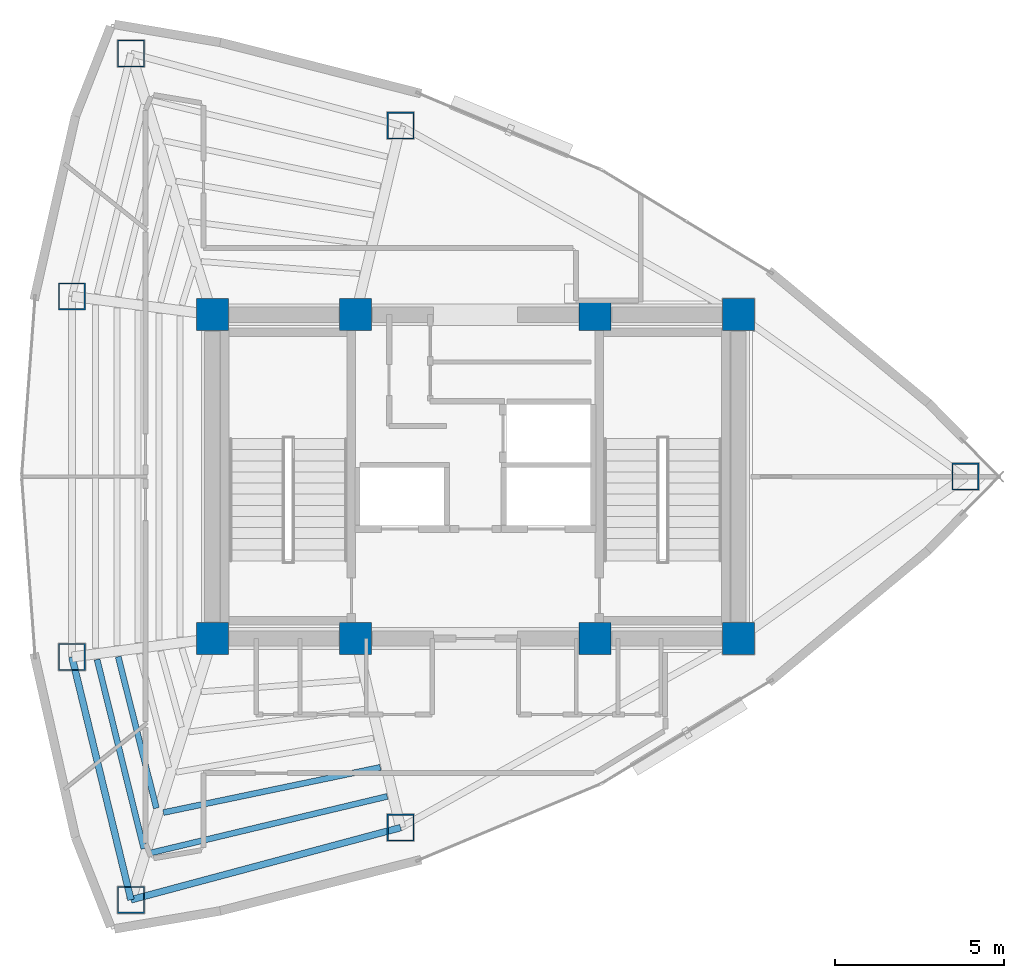
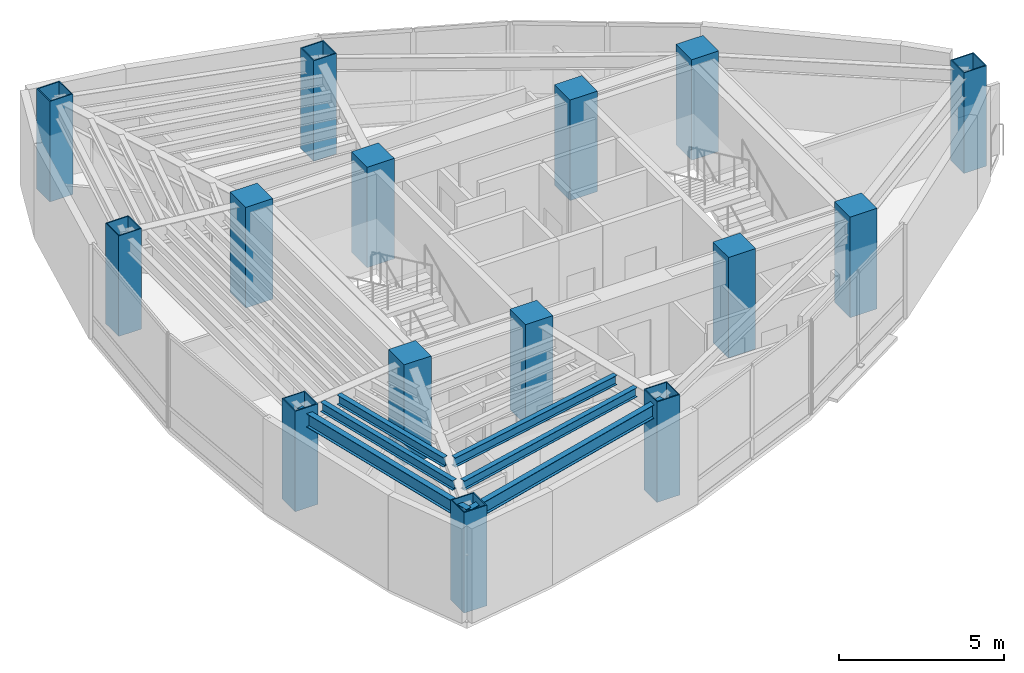
# One storey, part 1 of 15: 15 columns, 6 beams.
"""IFC4 building model written with IfcOpenShell, lengths in metres."""

from ifc_helpers import new_model, si_unit, direction, frame, origin, origin_2d, place, context, subcontext, project, spatial, rectangle, hollow_rectangle, i_section, extrude, material, material_profile, profile_set, type_object, element, save


model = new_model("IFC4")

# Units and contexts
model_context = context("Model", 3, precision=1e-05, world=origin(), true_north=direction((0.0, 1.0)))
body_context = subcontext(model_context, "Body", "Model", "MODEL_VIEW")
ifc_project = project(units=[si_unit("LENGTHUNIT", "METRE"), si_unit("AREAUNIT", "SQUARE_METRE"), si_unit("VOLUMEUNIT", "CUBIC_METRE"), si_unit("PLANEANGLEUNIT", "RADIAN"), si_unit("MASSUNIT", "GRAM", prefix="KILO")], contexts=[model_context])

# Site, building, storey
site_placement = place(None, origin())
site = spatial("IfcSite", under=ifc_project, at=site_placement, CompositionType="ELEMENT")
building_placement = place(site_placement, origin())
building = spatial("IfcBuilding", under=site, at=building_placement, Name="Menara Vayukalpa", CompositionType="ELEMENT")
storey_placement = place(building_placement, frame((0.0, 0.0, 258.300048828125)))
storey = spatial("IfcBuildingStorey", under=building, at=storey_placement, Name="L65", CompositionType="ELEMENT", Elevation=258.300048828125)

# Columns
ifc_material_1 = material(Name="Concrete C60/75", Category="concrete")
ifc_material_profile_1 = material_profile(ifc_material_1, rectangle(XDim=0.949951171875, YDim=0.949951171875, at=origin_2d()), Name="RC 950x950")
ifc_profile_set_1 = profile_set([ifc_material_profile_1], Name="Concrete C60/75")
column_type_1 = type_object("IfcColumnType", Name="COL-CC2", PredefinedType="COLUMN", material=ifc_profile_set_1)
for number, where, z_axis, x_axis, name in (
    (1, (17.800048828125, 17.199951171875, 0.0), (0.0, 0.0, 1.0), (1.0, 0.0, 0.0), "L65 Core Pilaster Column CC1"),
    (2, (22.050048828125, 17.199951171875, 0.0), (0.0, 0.0, 1.0), (1.0, 0.0, 0.0), "L65 Core Pilaster Column CC2"),
    (3, (29.14990234375, 17.199951171875, 0.0), (0.0, 0.0, 1.0), (1.0, 0.0, 0.0), "L65 Core Pilaster Column CC3"),
    (4, (33.39990234375, 17.199951171875, 0.0), (0.0, 0.0, 1.0), (1.0, 0.0, 0.0), "L65 Core Pilaster Column CC4"),
    (5, (17.800048828125, 26.800048828125, 0.0), (0.0, 0.0, 1.0), (1.0, 0.0, 0.0), "L65 Core Pilaster Column CC5"),
    (6, (22.050048828125, 26.800048828125, 0.0), (0.0, 0.0, 1.0), (1.0, 0.0, 0.0), "L65 Core Pilaster Column CC6"),
    (7, (29.14990234375, 26.800048828125, 0.0), (0.0, 0.0, 1.0), (1.0, 0.0, 0.0), "L65 Core Pilaster Column CC7"),
    (8, (33.39990234375, 26.800048828125, 0.0), (0.0, 0.0, 1.0), (1.0, 0.0, 0.0), "L65 Core Pilaster Column CC8"),
):
    element("IfcColumn", number, at=place(storey_placement, frame(where, z_axis=z_axis, x_axis=x_axis)), inside=storey, type_object=column_type_1, Name=name, PredefinedType="COLUMN", context=body_context, shape_type="SweptSolid", body=[
        extrude(rectangle(XDim=0.949951171875, YDim=0.949951171875, at=origin_2d()), origin(), (0.0, 0.0, 1.0), 3.719970703125),
    ])
ifc_material_2 = material(Name="Steel S355", Category="steel")
ifc_material_profile_2 = material_profile(ifc_material_2, hollow_rectangle(XDim=0.800048828125, YDim=0.800048828125, WallThickness=0.034912109375, at=origin_2d()), Name="BOX 800x800x35")
ifc_profile_set_2 = profile_set([ifc_material_profile_2], Name="Steel S355")
column_type_2 = type_object("IfcColumnType", Name="COL-MC5", PredefinedType="COLUMN", material=ifc_profile_set_2)
for number, where, z_axis, x_axis, name in (
    (9, (40.121826171875, 22.0, 0.0), (0.0, 0.0, 1.0), (1.0, 0.0, 0.0), "L65 Perimeter Mega Column P01"),
    (10, (23.3818359375, 32.40478515625, 0.0), (0.0, 0.0, 1.0), (1.0, 0.0, 0.0), "L65 Perimeter Mega Column P03"),
    (11, (15.38916015625, 34.544677734375, 0.0), (0.0, 0.0, 1.0), (1.0, 0.0, 0.0), "L65 Perimeter Mega Column P04"),
    (12, (13.638916015625, 27.3466796875, 0.0), (0.0, 0.0, 1.0), (1.0, 0.0, 0.0), "L65 Perimeter Mega Column P05"),
    (13, (13.638916015625, 16.6533203125, 0.0), (0.0, 0.0, 1.0), (1.0, 0.0, 0.0), "L65 Perimeter Mega Column P06"),
    (14, (15.38916015625, 9.455322265625, 0.0), (0.0, 0.0, 1.0), (1.0, 0.0, 0.0), "L65 Perimeter Mega Column P07"),
    (15, (23.3818359375, 11.59521484375, 0.0), (0.0, 0.0, 1.0), (1.0, 0.0, 0.0), "L65 Perimeter Mega Column P08"),
):
    element("IfcColumn", number, at=place(storey_placement, frame(where, z_axis=z_axis, x_axis=x_axis)), inside=storey, type_object=column_type_2, Name=name, PredefinedType="COLUMN", context=body_context, shape_type="SweptSolid", body=[
        extrude(hollow_rectangle(XDim=0.800048828125, YDim=0.800048828125, WallThickness=0.034912109375, at=origin_2d()), origin(), (0.0, 0.0, 1.0), 3.719970703125),
    ])

# Beams
ifc_material_3 = material(Name="Steel S355", Category="steel")
ifc_material_profile_3 = material_profile(ifc_material_3, i_section(OverallWidth=0.175048828125, OverallDepth=0.35009765625, WebThickness=0.007080078125, FlangeThickness=0.010986328125, at=origin_2d()), Name="WF 350x175x7x11")
ifc_profile_set_3 = profile_set([ifc_material_profile_3], Name="Steel S355")
beam_type_1 = type_object("IfcBeamType", Name="BM-SJ3", PredefinedType="JOIST", material=ifc_profile_set_3)
beam_1_placement = place(storey_placement, frame((15.010986328125, 16.6630859375, 3.324951171875), z_axis=(0.244247063973, -0.969713035769, 0.0), x_axis=(0.969713035769, 0.244247063973, 0.0)))
element("IfcBeam", 16, at=beam_1_placement, inside=storey, type_object=beam_type_1, Name="L65 Secondary Floor Joist SJ06-4", PredefinedType="JOIST", context=body_context, shape_type="SweptSolid", body=[
    extrude(i_section(OverallWidth=0.175048828125, OverallDepth=0.35009765625, WebThickness=0.007080078125, FlangeThickness=0.010986328125, at=origin_2d()), origin(), (0.0, 0.0, 1.0), 4.630859375),
])
beam_2_placement = place(storey_placement, frame((14.384033203125, 16.580810546875, 3.324951171875), z_axis=(0.239671161383, -0.970854126222, 0.0), x_axis=(0.970854126222, 0.239671161383, 0.0)))
element("IfcBeam", 17, at=beam_2_placement, inside=storey, type_object=beam_type_1, Name="L65 Secondary Floor Joist SJ06-5", PredefinedType="JOIST", context=body_context, shape_type="SweptSolid", body=[
    extrude(i_section(OverallWidth=0.175048828125, OverallDepth=0.35009765625, WebThickness=0.007080078125, FlangeThickness=0.010986328125, at=origin_2d()), origin(), (0.0, 0.0, 1.0), 5.77783203125),
])
beam_3_placement = place(storey_placement, frame((16.35009765625, 12.0419921875, 3.324951171875), z_axis=(0.978941451827, 0.204141210671, 0.0), x_axis=(-0.204141210671, 0.978941451827, 0.0)))
element("IfcBeam", 18, at=beam_3_placement, inside=storey, type_object=beam_type_1, Name="L65 Secondary Floor Joist SJ07-4", PredefinedType="JOIST", context=body_context, shape_type="SweptSolid", body=[
    extrude(i_section(OverallWidth=0.175048828125, OverallDepth=0.35009765625, WebThickness=0.007080078125, FlangeThickness=0.010986328125, at=origin_2d()), origin(), (0.0, 0.0, 1.0), 6.570556640625),
])
beam_4_placement = place(storey_placement, frame((15.97509765625, 10.845947265625, 3.324951171875), z_axis=(0.972642465748, 0.232307197097, 0.0), x_axis=(-0.232307197097, 0.972642465748, 0.0)))
element("IfcBeam", 19, at=beam_4_placement, inside=storey, type_object=beam_type_1, Name="L65 Secondary Floor Joist SJ07-5", PredefinedType="JOIST", context=body_context, shape_type="SweptSolid", body=[
    extrude(i_section(OverallWidth=0.175048828125, OverallDepth=0.35009765625, WebThickness=0.007080078125, FlangeThickness=0.010986328125, at=origin_2d()), origin(), (0.0, 0.0, 1.0), 7.20947265625),
])
ifc_material_4 = material(Name="Steel S355", Category="steel")
ifc_material_profile_4 = material_profile(ifc_material_4, i_section(OverallWidth=0.199951171875, OverallDepth=0.5, WebThickness=0.010009765625, FlangeThickness=0.01611328125, at=origin_2d()), Name="WF 500x200x10x16")
ifc_profile_set_4 = profile_set([ifc_material_profile_4], Name="Steel S355")
beam_type_2 = type_object("IfcBeamType", Name="BM-SP3", PredefinedType="SPANDREL", material=ifc_profile_set_4)
beam_5_placement = place(storey_placement, frame((13.638916015625, 16.6533203125, 3.25), z_axis=(0.236272525754, -0.97168682896, 0.0), x_axis=(0.97168682896, 0.236272525754, 0.0)))
element("IfcBeam", 20, at=beam_5_placement, inside=storey, type_object=beam_type_2, Name="L65 Perimeter Spandrel Beam SP06", PredefinedType="SPANDREL", context=body_context, shape_type="SweptSolid", body=[
    extrude(i_section(OverallWidth=0.199951171875, OverallDepth=0.5, WebThickness=0.010009765625, FlangeThickness=0.01611328125, at=origin_2d()), origin(), (0.0, 0.0, 1.0), 7.40771484375),
])
beam_6_placement = place(storey_placement, frame((15.38916015625, 9.455322265625, 3.25), z_axis=(0.965978332552, 0.258623009494, 0.0), x_axis=(-0.258623009494, 0.965978332552, 0.0)))
element("IfcBeam", 21, at=beam_6_placement, inside=storey, type_object=beam_type_2, Name="L65 Perimeter Spandrel Beam SP07", PredefinedType="SPANDREL", context=body_context, shape_type="SweptSolid", body=[
    extrude(i_section(OverallWidth=0.199951171875, OverallDepth=0.5, WebThickness=0.010009765625, FlangeThickness=0.01611328125, at=origin_2d()), origin(), (0.0, 0.0, 1.0), 8.274169921875),
])

save(model, "model.ifc")
